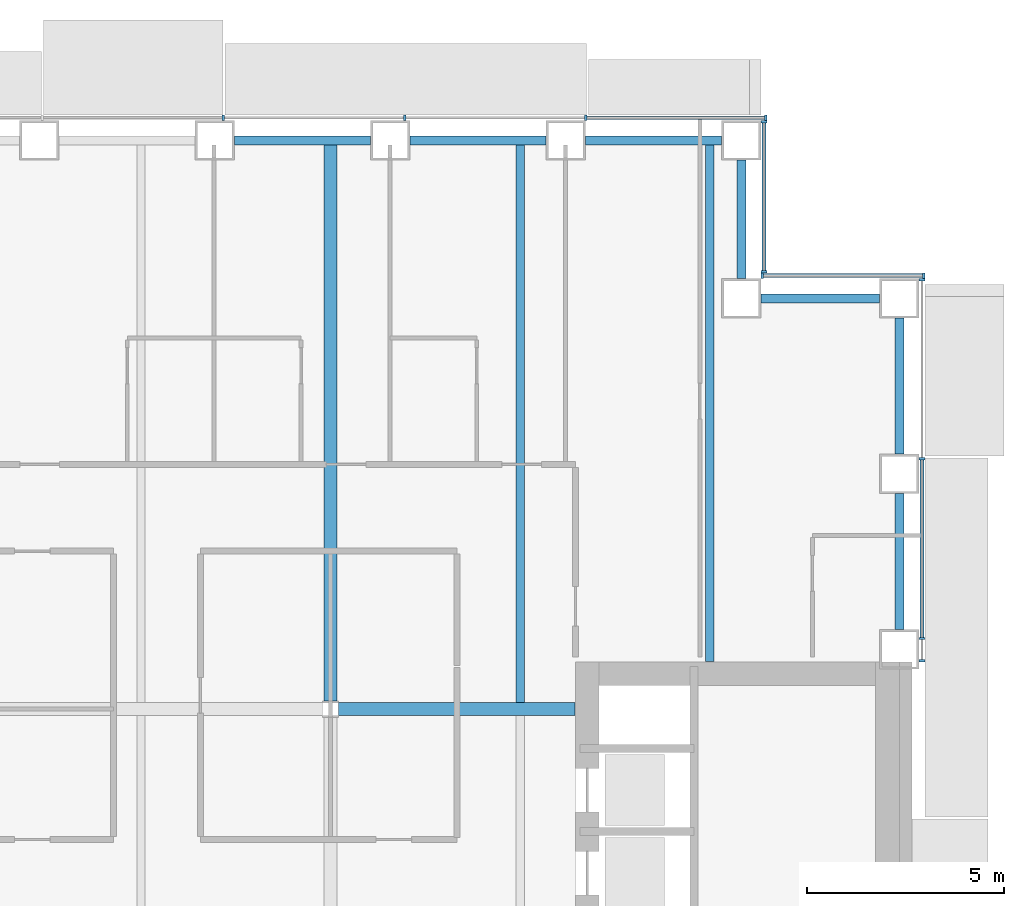
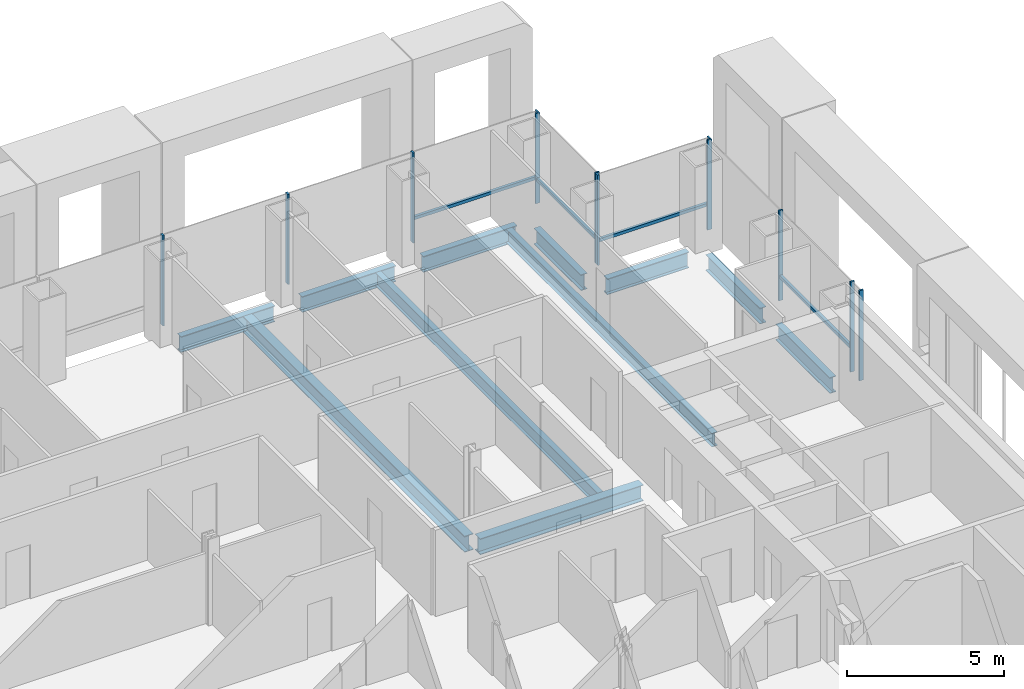
# One storey, part 9 of 25: 16 members, 11 beams, 4 elements without a shape of their own.
"""IFC4 building model written with IfcOpenShell, lengths in metres."""

from ifc_helpers import new_model, si_unit, direction, frame, origin, origin_2d, place, context, subcontext, project, spatial, rectangle, i_section, extrude, material, material_profile, profile_set, type_object, element, aggregate, save


model = new_model("IFC4")

# Units and contexts
model_context = context("Model", 3, precision=1e-05, world=origin(), true_north=direction((0.0, 1.0)))
body_context = subcontext(model_context, "Body", "Model", "MODEL_VIEW")
ifc_project = project(units=[si_unit("LENGTHUNIT", "METRE"), si_unit("AREAUNIT", "SQUARE_METRE"), si_unit("VOLUMEUNIT", "CUBIC_METRE"), si_unit("PLANEANGLEUNIT", "RADIAN"), si_unit("MASSUNIT", "GRAM", prefix="KILO")], contexts=[model_context])

# Site, building, storey
site_placement = place(None, origin())
site = spatial("IfcSite", under=ifc_project, at=site_placement, CompositionType="ELEMENT")
building_placement = place(site_placement, origin())
building = spatial("IfcBuilding", under=site, at=building_placement, Name="Cobrizo Arcos Hotel Tower", CompositionType="ELEMENT")
storey_placement = place(building_placement, frame((0.0, 0.0, 53.0)))
storey = spatial("IfcBuildingStorey", under=building, at=storey_placement, Name="L11", CompositionType="ELEMENT", Elevation=53.0)

# Curtain wall, members
ifc_material_1 = material(Name="Aluminium 6063-T6 anodised bronze", Category="aluminium")
curtain_wall_type = type_object("IfcCurtainWallType", Name="CW-A guest facade", PredefinedType="NOTDEFINED", material=ifc_material_1)
curtain_wall_1_placement = place(storey_placement, origin())
curtain_wall_1 = element("IfcCurtainWall", 1, at=curtain_wall_1_placement, inside=storey, type_object=curtain_wall_type, Name="CW-A L11 E face", PredefinedType="NOTDEFINED")
ifc_material_profile_1 = material_profile(ifc_material_1, rectangle(XDim=0.14990234375, YDim=0.06005859375, at=origin_2d()), Name="CW-A mullion 150x60")
ifc_profile_set_1 = profile_set([ifc_material_profile_1], Name="Aluminium 6063-T6 anodised bronze")
member_type_1 = type_object("IfcMemberType", Name="CW-A mullion 150x60", PredefinedType="MULLION", material=ifc_profile_set_1)
member_1_placement = place(storey_placement, frame((24.574951171875, 10.830078125, 0.0), z_axis=(0.0, 0.0, 1.0), x_axis=(1.0, 0.0, 0.0)))
member_1 = element("IfcMember", 2, at=member_1_placement, type_object=member_type_1, Name="CW-A mullion 1", PredefinedType="MULLION", context=body_context, shape_type="SweptSolid", body=[
    extrude(rectangle(XDim=0.14990234375, YDim=0.06005859375, at=origin_2d()), origin(), (0.0, 0.0, 1.0), 3.5),
])
member_2_placement = place(storey_placement, frame((24.574951171875, 11.388916015625, 0.0), z_axis=(0.0, 0.0, 1.0), x_axis=(1.0, 0.0, 0.0)))
member_2 = element("IfcMember", 3, at=member_2_placement, type_object=member_type_1, Name="CW-A mullion 2", PredefinedType="MULLION", context=body_context, shape_type="SweptSolid", body=[
    extrude(rectangle(XDim=0.14990234375, YDim=0.06005859375, at=origin_2d()), origin(), (0.0, 0.0, 1.0), 3.5),
])
member_3_placement = place(storey_placement, frame((24.574951171875, 15.9443359375, 0.0), z_axis=(0.0, 0.0, 1.0), x_axis=(1.0, 0.0, 0.0)))
member_3 = element("IfcMember", 4, at=member_3_placement, type_object=member_type_1, Name="CW-A mullion 3", PredefinedType="MULLION", context=body_context, shape_type="SweptSolid", body=[
    extrude(rectangle(XDim=0.14990234375, YDim=0.06005859375, at=origin_2d()), origin(), (0.0, 0.0, 1.0), 3.5),
])
member_4_placement = place(storey_placement, frame((24.574951171875, 20.469970703125, 0.0), z_axis=(0.0, 0.0, 1.0), x_axis=(1.0, 0.0, 0.0)))
member_4 = element("IfcMember", 5, at=member_4_placement, type_object=member_type_1, Name="CW-A mullion 4", PredefinedType="MULLION", context=body_context, shape_type="SweptSolid", body=[
    extrude(rectangle(XDim=0.14990234375, YDim=0.06005859375, at=origin_2d()), origin(), (0.0, 0.0, 1.0), 3.5),
])

curtain_wall_2_placement = place(storey_placement, origin())
curtain_wall_2 = element("IfcCurtainWall", 6, at=curtain_wall_2_placement, inside=storey, type_object=curtain_wall_type, Name="CW-A L11 N face", PredefinedType="NOTDEFINED")
member_5_placement = place(storey_placement, frame((24.6201171875, 20.574951171875, 0.0), z_axis=(0.0, 0.0, 1.0), x_axis=(0.0, 1.0, 0.0)))
member_5 = element("IfcMember", 7, at=member_5_placement, type_object=member_type_1, Name="CW-A mullion 1", PredefinedType="MULLION", context=body_context, shape_type="SweptSolid", body=[
    extrude(rectangle(XDim=0.14990234375, YDim=0.06005859375, at=origin_2d()), origin(), (0.0, 0.0, 1.0), 3.5),
])
member_6_placement = place(storey_placement, frame((20.530029296875, 20.574951171875, 0.0), z_axis=(0.0, 0.0, 1.0), x_axis=(0.0, 1.0, 0.0)))
member_6 = element("IfcMember", 8, at=member_6_placement, type_object=member_type_1, Name="CW-A mullion 2", PredefinedType="MULLION", context=body_context, shape_type="SweptSolid", body=[
    extrude(rectangle(XDim=0.14990234375, YDim=0.06005859375, at=origin_2d()), origin(), (0.0, 0.0, 1.0), 3.5),
])

curtain_wall_3_placement = place(storey_placement, origin())
curtain_wall_3 = element("IfcCurtainWall", 9, at=curtain_wall_3_placement, inside=storey, type_object=curtain_wall_type, Name="CW-A L11 E face", PredefinedType="NOTDEFINED")
member_7_placement = place(storey_placement, frame((20.574951171875, 20.679931640625, 0.0), z_axis=(0.0, 0.0, 1.0), x_axis=(1.0, 0.0, 0.0)))
member_7 = element("IfcMember", 10, at=member_7_placement, type_object=member_type_1, Name="CW-A mullion 1", PredefinedType="MULLION", context=body_context, shape_type="SweptSolid", body=[
    extrude(rectangle(XDim=0.14990234375, YDim=0.06005859375, at=origin_2d()), origin(), (0.0, 0.0, 1.0), 3.5),
])
member_8_placement = place(storey_placement, frame((20.574951171875, 24.469970703125, 0.0), z_axis=(0.0, 0.0, 1.0), x_axis=(1.0, 0.0, 0.0)))
member_8 = element("IfcMember", 11, at=member_8_placement, type_object=member_type_1, Name="CW-A mullion 2", PredefinedType="MULLION", context=body_context, shape_type="SweptSolid", body=[
    extrude(rectangle(XDim=0.14990234375, YDim=0.06005859375, at=origin_2d()), origin(), (0.0, 0.0, 1.0), 3.5),
])

curtain_wall_4_placement = place(storey_placement, origin())
curtain_wall_4 = element("IfcCurtainWall", 12, at=curtain_wall_4_placement, inside=storey, type_object=curtain_wall_type, Name="CW-A L11 N face", PredefinedType="NOTDEFINED")
member_9_placement = place(storey_placement, frame((20.6201171875, 24.574951171875, 0.0), z_axis=(0.0, 0.0, 1.0), x_axis=(0.0, 1.0, 0.0)))
member_9 = element("IfcMember", 13, at=member_9_placement, type_object=member_type_1, Name="CW-A mullion 1", PredefinedType="MULLION", context=body_context, shape_type="SweptSolid", body=[
    extrude(rectangle(XDim=0.14990234375, YDim=0.06005859375, at=origin_2d()), origin(), (0.0, 0.0, 1.0), 3.5),
])
member_10_placement = place(storey_placement, frame((16.06103515625, 24.574951171875, 0.0), z_axis=(0.0, 0.0, 1.0), x_axis=(0.0, 1.0, 0.0)))
member_10 = element("IfcMember", 14, at=member_10_placement, type_object=member_type_1, Name="CW-A mullion 2", PredefinedType="MULLION", context=body_context, shape_type="SweptSolid", body=[
    extrude(rectangle(XDim=0.14990234375, YDim=0.06005859375, at=origin_2d()), origin(), (0.0, 0.0, 1.0), 3.5),
])
member_11_placement = place(storey_placement, frame((11.47216796875, 24.574951171875, 0.0), z_axis=(0.0, 0.0, 1.0), x_axis=(0.0, 1.0, 0.0)))
member_11 = element("IfcMember", 15, at=member_11_placement, type_object=member_type_1, Name="CW-A mullion 3", PredefinedType="MULLION", context=body_context, shape_type="SweptSolid", body=[
    extrude(rectangle(XDim=0.14990234375, YDim=0.06005859375, at=origin_2d()), origin(), (0.0, 0.0, 1.0), 3.5),
])
member_12_placement = place(storey_placement, frame((6.88330078125, 24.574951171875, 0.0), z_axis=(0.0, 0.0, 1.0), x_axis=(0.0, 1.0, 0.0)))
member_12 = element("IfcMember", 16, at=member_12_placement, type_object=member_type_1, Name="CW-A mullion 4", PredefinedType="MULLION", context=body_context, shape_type="SweptSolid", body=[
    extrude(rectangle(XDim=0.14990234375, YDim=0.06005859375, at=origin_2d()), origin(), (0.0, 0.0, 1.0), 3.5),
])

# Member
ifc_material_profile_2 = material_profile(ifc_material_1, rectangle(XDim=0.10009765625, YDim=0.1201171875, at=origin_2d()), Name="CW-A transom 120x100")
ifc_profile_set_2 = profile_set([ifc_material_profile_2], Name="Aluminium 6063-T6 anodised bronze")
member_type_2 = type_object("IfcMemberType", Name="CW-A transom 120x100", PredefinedType="USERDEFINED", material=ifc_profile_set_2)
member_13_placement = place(storey_placement, frame((24.574951171875, 11.4189453125, 0.929931640625), z_axis=(0.0, 1.0, 0.0), x_axis=(-1.0, 0.0, 0.0)))
member_13 = element("IfcMember", 17, at=member_13_placement, type_object=member_type_2, Name="CW-A transom 528", ObjectType="TRANSOM", PredefinedType="USERDEFINED", context=body_context, shape_type="SweptSolid", body=[
    extrude(rectangle(XDim=0.10009765625, YDim=0.1201171875, at=origin_2d()), origin(), (0.0, 0.0, 1.0), 4.49560546875),
])

aggregate(curtain_wall_1, [member_1, member_2, member_3, member_4, member_13])

member_14_placement = place(storey_placement, frame((24.590087890625, 20.574951171875, 0.929931640625), z_axis=(-1.0, 0.0, 0.0), x_axis=(0.0, -1.0, 0.0)))
member_14 = element("IfcMember", 18, at=member_14_placement, type_object=member_type_2, Name="CW-A transom 530", ObjectType="TRANSOM", PredefinedType="USERDEFINED", context=body_context, shape_type="SweptSolid", body=[
    extrude(rectangle(XDim=0.10009765625, YDim=0.1201171875, at=origin_2d()), origin(), (0.0, 0.0, 1.0), 4.030029296875),
])

aggregate(curtain_wall_2, [member_5, member_6, member_14])

member_15_placement = place(storey_placement, frame((20.574951171875, 20.7099609375, 0.929931640625), z_axis=(0.0, 1.0, 0.0), x_axis=(-1.0, 0.0, 0.0)))
member_15 = element("IfcMember", 19, at=member_15_placement, type_object=member_type_2, Name="CW-A transom 531", ObjectType="TRANSOM", PredefinedType="USERDEFINED", context=body_context, shape_type="SweptSolid", body=[
    extrude(rectangle(XDim=0.10009765625, YDim=0.1201171875, at=origin_2d()), origin(), (0.0, 0.0, 1.0), 3.72998046875),
])

aggregate(curtain_wall_3, [member_7, member_8, member_15])

member_16_placement = place(storey_placement, frame((20.590087890625, 24.574951171875, 0.929931640625), z_axis=(-1.0, 0.0, 0.0), x_axis=(0.0, -1.0, 0.0)))
member_16 = element("IfcMember", 20, at=member_16_placement, type_object=member_type_2, Name="CW-A transom 532", ObjectType="TRANSOM", PredefinedType="USERDEFINED", context=body_context, shape_type="SweptSolid", body=[
    extrude(rectangle(XDim=0.10009765625, YDim=0.1201171875, at=origin_2d()), origin(), (0.0, 0.0, 1.0), 4.4990234375),
])

aggregate(curtain_wall_4, [member_9, member_10, member_11, member_12, member_16])

# Beams
ifc_material_2 = material(Name="Steel ASTM A992 Grade 50", Category="steel")
ifc_material_profile_3 = material_profile(ifc_material_2, i_section(OverallWidth=0.209228515625, OverallDepth=0.533447265625, WebThickness=0.01025390625, FlangeThickness=0.015625, at=origin_2d()), Name="W21X62")
ifc_profile_set_3 = profile_set([ifc_material_profile_3], Name="Steel ASTM A992 Grade 50")
beam_type_1 = type_object("IfcBeamType", Name="W21X62 joist", PredefinedType="JOIST", material=ifc_profile_set_3)
beam_1_placement = place(storey_placement, frame((14.39990234375, 9.763916015625, -0.416748046875), z_axis=(0.0, 1.0, 0.0), x_axis=(-1.0, 0.0, 0.0)))
element("IfcBeam", 21, at=beam_1_placement, inside=storey, type_object=beam_type_1, Name="Floor joist J1, L11, no. 018", PredefinedType="JOIST", context=body_context, shape_type="SweptSolid", body=[
    extrude(i_section(OverallWidth=0.209228515625, OverallDepth=0.533447265625, WebThickness=0.01025390625, FlangeThickness=0.015625, at=origin_2d()), origin(), (0.0, 0.0, 1.0), 14.14599609375),
])
beam_2_placement = place(storey_placement, frame((19.199951171875, 10.81005859375, -0.416748046875), z_axis=(0.0, 1.0, 0.0), x_axis=(-1.0, 0.0, 0.0)))
element("IfcBeam", 22, at=beam_2_placement, inside=storey, type_object=beam_type_1, Name="Floor joist J1, L11, no. 020", PredefinedType="JOIST", context=body_context, shape_type="SweptSolid", body=[
    extrude(i_section(OverallWidth=0.209228515625, OverallDepth=0.533447265625, WebThickness=0.01025390625, FlangeThickness=0.015625, at=origin_2d()), origin(), (0.0, 0.0, 1.0), 13.099853515625),
])
ifc_material_profile_4 = material_profile(ifc_material_2, i_section(OverallWidth=0.32763671875, OverallDepth=0.622314453125, WebThickness=0.015380859375, FlangeThickness=0.0244140625, at=origin_2d()), Name="W24X131")
ifc_profile_set_4 = profile_set([ifc_material_profile_4], Name="Steel ASTM A992 Grade 50")
beam_type_2 = type_object("IfcBeamType", Name="W24X131 girder", PredefinedType="BEAM", material=ifc_profile_set_4)
beam_3_placement = place(storey_placement, frame((9.804443359375, 9.60009765625, -0.461181640625), z_axis=(1.0, 0.0, 0.0), x_axis=(0.0, 1.0, 0.0)))
element("IfcBeam", 23, at=beam_3_placement, inside=storey, type_object=beam_type_2, Name="Floor girder G1, L11, no. 012", PredefinedType="BEAM", context=body_context, shape_type="SweptSolid", body=[
    extrude(i_section(OverallWidth=0.32763671875, OverallDepth=0.622314453125, WebThickness=0.015380859375, FlangeThickness=0.0244140625, at=origin_2d()), origin(), (0.0, 0.0, 1.0), 5.985595703125),
])
beam_4_placement = place(storey_placement, frame((9.60009765625, 9.804443359375, -0.461181640625), z_axis=(0.0, 1.0, 0.0), x_axis=(-1.0, 0.0, 0.0)))
element("IfcBeam", 24, at=beam_4_placement, inside=storey, type_object=beam_type_2, Name="Floor girder G1, L11, no. 024", PredefinedType="BEAM", context=body_context, shape_type="SweptSolid", body=[
    extrude(i_section(OverallWidth=0.32763671875, OverallDepth=0.622314453125, WebThickness=0.015380859375, FlangeThickness=0.0244140625, at=origin_2d()), origin(), (0.0, 0.0, 1.0), 14.10546875),
])
ifc_material_profile_5 = material_profile(ifc_material_2, i_section(OverallWidth=0.23046875, OverallDepth=0.6171875, WebThickness=0.01318359375, FlangeThickness=0.022216796875, at=origin_2d()), Name="W24X94")
ifc_profile_set_5 = profile_set([ifc_material_profile_5], Name="Steel ASTM A992 Grade 50")
beam_type_3 = type_object("IfcBeamType", Name="W24X94 spandrel", PredefinedType="SPANDREL", material=ifc_profile_set_5)
beam_5_placement = place(storey_placement, frame((24.0, 11.611083984375, -0.45849609375), z_axis=(0.0, 1.0, 0.0), x_axis=(-1.0, 0.0, 0.0)))
element("IfcBeam", 25, at=beam_5_placement, inside=storey, type_object=beam_type_3, Name="Spandrel beam W24X94, L11, no. 014", PredefinedType="SPANDREL", context=body_context, shape_type="SweptSolid", body=[
    extrude(i_section(OverallWidth=0.23046875, OverallDepth=0.6171875, WebThickness=0.01318359375, FlangeThickness=0.022216796875, at=origin_2d()), origin(), (0.0, 0.0, 1.0), 3.44482421875),
])
beam_6_placement = place(storey_placement, frame((24.0, 16.055908203125, -0.45849609375), z_axis=(0.0, 1.0, 0.0), x_axis=(-1.0, 0.0, 0.0)))
element("IfcBeam", 26, at=beam_6_placement, inside=storey, type_object=beam_type_3, Name="Spandrel beam W24X94, L11, no. 015", PredefinedType="SPANDREL", context=body_context, shape_type="SweptSolid", body=[
    extrude(i_section(OverallWidth=0.23046875, OverallDepth=0.6171875, WebThickness=0.01318359375, FlangeThickness=0.022216796875, at=origin_2d()), origin(), (0.0, 0.0, 1.0), 3.444091796875),
])
for number, where, z_axis, x_axis, name in (
    (27, (23.5, 20.0, -0.45849609375), (-1.0, 0.0, 0.0), (0.0, -1.0, 0.0), "Spandrel beam W24X94, L11, no. 016"),
    (28, (20.0, 20.5, -0.45849609375), (0.0, 1.0, 0.0), (-1.0, 0.0, 0.0), "Spandrel beam W24X94, L11, no. 017"),
):
    element("IfcBeam", number, at=place(storey_placement, frame(where, z_axis=z_axis, x_axis=x_axis)), inside=storey, type_object=beam_type_3, Name=name, PredefinedType="SPANDREL", context=body_context, shape_type="SweptSolid", body=[
        extrude(i_section(OverallWidth=0.23046875, OverallDepth=0.6171875, WebThickness=0.01318359375, FlangeThickness=0.022216796875, at=origin_2d()), origin(), (0.0, 0.0, 1.0), 3.0),
    ])
beam_7_placement = place(storey_placement, frame((19.5, 24.0, -0.45849609375), z_axis=(-1.0, 0.0, 0.0), x_axis=(0.0, -1.0, 0.0)))
element("IfcBeam", 29, at=beam_7_placement, inside=storey, type_object=beam_type_3, Name="Spandrel beam W24X94, L11, no. 018", PredefinedType="SPANDREL", context=body_context, shape_type="SweptSolid", body=[
    extrude(i_section(OverallWidth=0.23046875, OverallDepth=0.6171875, WebThickness=0.01318359375, FlangeThickness=0.022216796875, at=origin_2d()), origin(), (0.0, 0.0, 1.0), 3.444091796875),
])
beam_8_placement = place(storey_placement, frame((15.055908203125, 24.0, -0.45849609375), z_axis=(-1.0, 0.0, 0.0), x_axis=(0.0, -1.0, 0.0)))
element("IfcBeam", 30, at=beam_8_placement, inside=storey, type_object=beam_type_3, Name="Spandrel beam W24X94, L11, no. 019", PredefinedType="SPANDREL", context=body_context, shape_type="SweptSolid", body=[
    extrude(i_section(OverallWidth=0.23046875, OverallDepth=0.6171875, WebThickness=0.01318359375, FlangeThickness=0.022216796875, at=origin_2d()), origin(), (0.0, 0.0, 1.0), 3.44482421875),
])
beam_9_placement = place(storey_placement, frame((10.611083984375, 24.0, -0.45849609375), z_axis=(-1.0, 0.0, 0.0), x_axis=(0.0, -1.0, 0.0)))
element("IfcBeam", 31, at=beam_9_placement, inside=storey, type_object=beam_type_3, Name="Spandrel beam W24X94, L11, no. 020", PredefinedType="SPANDREL", context=body_context, shape_type="SweptSolid", body=[
    extrude(i_section(OverallWidth=0.23046875, OverallDepth=0.6171875, WebThickness=0.01318359375, FlangeThickness=0.022216796875, at=origin_2d()), origin(), (0.0, 0.0, 1.0), 3.444091796875),
])

save(model, "model.ifc")
